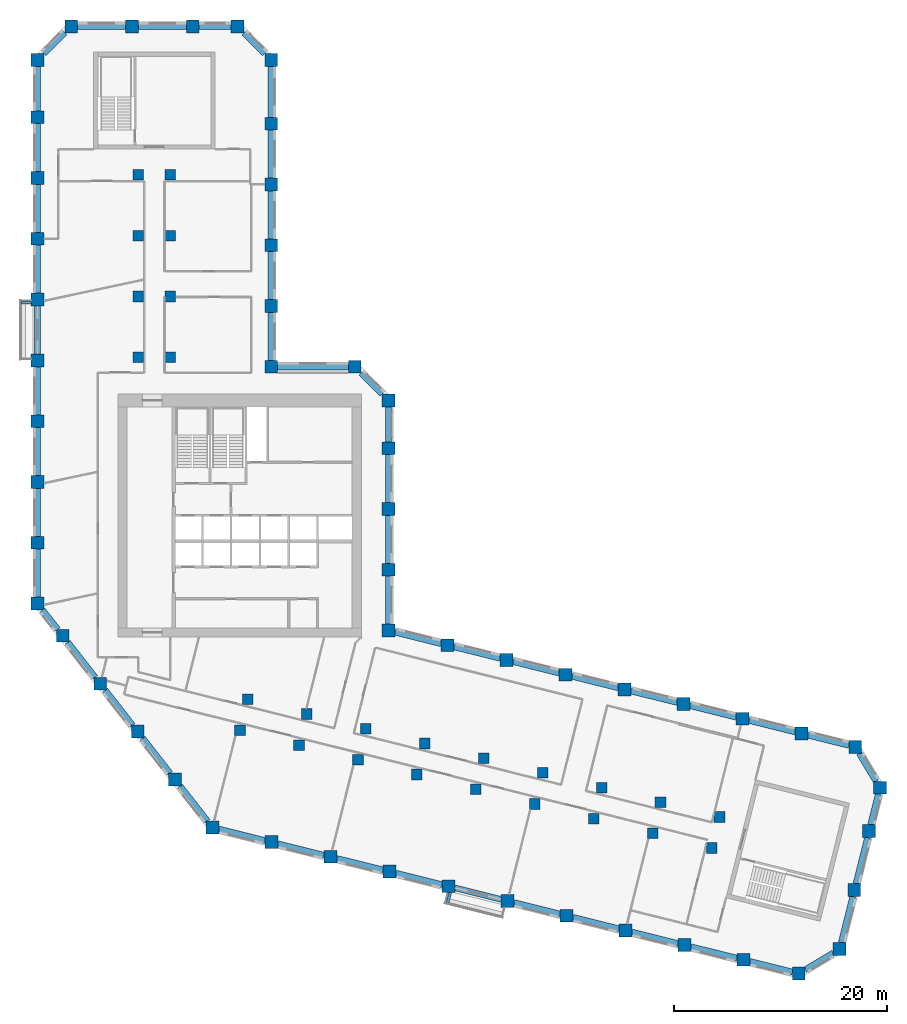
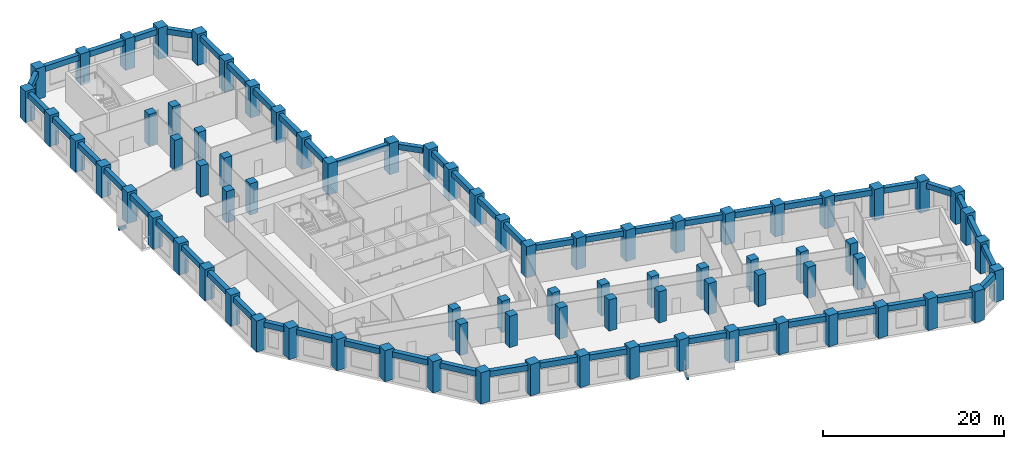
# One storey, part 1 of 10: 79 columns, 55 beams.
"""IFC4 building model written with IfcOpenShell, lengths in metres."""

from ifc_helpers import new_model, si_unit, direction, frame, origin, origin_2d, place, context, subcontext, project, spatial, rectangle, extrude, material, material_profile, profile_set, type_object, element, save


model = new_model("IFC4")

# Units and contexts
model_context = context("Model", 3, precision=1e-05, world=origin(), true_north=direction((0.0, 1.0)))
body_context = subcontext(model_context, "Body", "Model", "MODEL_VIEW")
ifc_project = project(units=[si_unit("LENGTHUNIT", "METRE"), si_unit("AREAUNIT", "SQUARE_METRE"), si_unit("VOLUMEUNIT", "CUBIC_METRE"), si_unit("PLANEANGLEUNIT", "RADIAN"), si_unit("MASSUNIT", "GRAM", prefix="KILO")], contexts=[model_context])

# Site, building, storey
site_placement = place(None, origin())
site = spatial("IfcSite", under=ifc_project, at=site_placement, CompositionType="ELEMENT")
building_placement = place(site_placement, origin())
building = spatial("IfcBuilding", under=site, at=building_placement, Name="Meshkara Civic Tower", CompositionType="ELEMENT")
storey_placement = place(building_placement, frame((0.0, 0.0, 174.0)))
storey = spatial("IfcBuildingStorey", under=building, at=storey_placement, Name="L39", CompositionType="ELEMENT", Elevation=174.0)

# Columns
ifc_material_1 = material(Name="Concrete C70", Category="concrete")
ifc_material_profile_1 = material_profile(ifc_material_1, rectangle(XDim=1.0, YDim=1.0, at=origin_2d()))
ifc_profile_set_1 = profile_set([ifc_material_profile_1], Name="Concrete C70")
column_type_1 = type_object("IfcColumnType", Name="Interior column RC 1000x1000 C70", PredefinedType="COLUMN", material=ifc_profile_set_1)
for number, where, z_axis, x_axis, name in (
    (1, (9.89990234375, 40.35009765625, 0.0), (0.0, 0.0, 1.0), (1.0, 0.0, 0.0), "Column SA1-04 L39"),
    (2, (9.89990234375, 46.050048828125, 0.0), (0.0, 0.0, 1.0), (1.0, 0.0, 0.0), "Column SA1-05 L39"),
    (3, (9.89990234375, 51.75, 0.0), (0.0, 0.0, 1.0), (1.0, 0.0, 0.0), "Column SA1-06 L39"),
    (4, (9.89990234375, 57.449951171875, 0.0), (0.0, 0.0, 1.0), (1.0, 0.0, 0.0), "Column SA1-07 L39"),
    (5, (12.89990234375, 40.35009765625, 0.0), (0.0, 0.0, 1.0), (1.0, 0.0, 0.0), "Column SA2-04 L39"),
    (6, (12.89990234375, 46.050048828125, 0.0), (0.0, 0.0, 1.0), (1.0, 0.0, 0.0), "Column SA2-05 L39"),
    (7, (12.89990234375, 51.75, 0.0), (0.0, 0.0, 1.0), (1.0, 0.0, 0.0), "Column SA2-06 L39"),
    (8, (12.89990234375, 57.449951171875, 0.0), (0.0, 0.0, 1.0), (1.0, 0.0, 0.0), "Column SA2-07 L39"),
    (9, (19.424072265625, 5.360107421875, 0.0), (0.0, 0.0, 1.0), (1.0, 0.0, 0.0), "Column SB1-00 L39"),
    (10, (24.9541015625, 3.98095703125, 0.0), (0.0, 0.0, 1.0), (1.0, 0.0, 0.0), "Column SB1-01 L39"),
    (11, (30.485107421875, 2.60205078125, 0.0), (0.0, 0.0, 1.0), (1.0, 0.0, 0.0), "Column SB1-02 L39"),
    (12, (36.01611328125, 1.222900390625, 0.0), (0.0, 0.0, 1.0), (1.0, 0.0, 0.0), "Column SB1-03 L39"),
    (13, (41.5458984375, -0.156005859375, 0.0), (0.0, 0.0, 1.0), (1.0, 0.0, 0.0), "Column SB1-04 L39"),
    (14, (47.076904296875, -1.534912109375, 0.0), (0.0, 0.0, 1.0), (1.0, 0.0, 0.0), "Column SB1-05 L39"),
    (15, (52.60791015625, -2.9140625, 0.0), (0.0, 0.0, 1.0), (1.0, 0.0, 0.0), "Column SB1-06 L39"),
    (16, (58.138916015625, -4.2919921875, 0.0), (0.0, 0.0, 1.0), (1.0, 0.0, 0.0), "Column SB1-07 L39"),
    (17, (63.6689453125, -5.6708984375, 0.0), (0.0, 0.0, 1.0), (1.0, 0.0, 0.0), "Column SB1-08 L39"),
    (18, (20.14892578125, 8.27099609375, 0.0), (0.0, 0.0, 1.0), (1.0, 0.0, 0.0), "Column SB2-00 L39"),
    (19, (25.679931640625, 6.89208984375, 0.0), (0.0, 0.0, 1.0), (1.0, 0.0, 0.0), "Column SB2-01 L39"),
    (20, (31.2109375, 5.512939453125, 0.0), (0.0, 0.0, 1.0), (1.0, 0.0, 0.0), "Column SB2-02 L39"),
    (21, (36.741943359375, 4.134033203125, 0.0), (0.0, 0.0, 1.0), (1.0, 0.0, 0.0), "Column SB2-03 L39"),
    (22, (42.27197265625, 2.7548828125, 0.0), (0.0, 0.0, 1.0), (1.0, 0.0, 0.0), "Column SB2-04 L39"),
    (23, (47.802978515625, 1.3759765625, 0.0), (0.0, 0.0, 1.0), (1.0, 0.0, 0.0), "Column SB2-05 L39"),
    (24, (53.333984375, -0.0029296875, 0.0), (0.0, 0.0, 1.0), (1.0, 0.0, 0.0), "Column SB2-06 L39"),
    (25, (58.864013671875, -1.382080078125, 0.0), (0.0, 0.0, 1.0), (1.0, 0.0, 0.0), "Column SB2-07 L39"),
    (26, (64.39501953125, -2.760986328125, 0.0), (0.0, 0.0, 1.0), (1.0, 0.0, 0.0), "Column SB2-08 L39"),
):
    element("IfcColumn", number, at=place(storey_placement, frame(where, z_axis=z_axis, x_axis=x_axis)), inside=storey, type_object=column_type_1, Name=name, PredefinedType="COLUMN", context=body_context, shape_type="SweptSolid", body=[
        extrude(rectangle(XDim=1.0, YDim=1.0, at=origin_2d()), origin(), (0.0, 0.0, 1.0), 4.199951171875),
    ])
ifc_material_2 = material(Name="Concrete C70", Category="concrete")
ifc_material_profile_2 = material_profile(ifc_material_2, rectangle(XDim=1.199951171875, YDim=1.199951171875, at=origin_2d()))
ifc_profile_set_2 = profile_set([ifc_material_profile_2], Name="Concrete C70")
column_type_2 = type_object("IfcColumnType", Name="Perimeter column RC 1200x1200 C70", PredefinedType="COLUMN", material=ifc_profile_set_2)
for number, where, z_axis, x_axis, name in (
    (27, (33.35009765625, 14.718994140625, 0.0), (0.0, 0.0, 1.0), (1.0, 0.0, 0.0), "Column HE00 L39"),
    (28, (33.35009765625, 20.4189453125, 0.0), (0.0, 0.0, 1.0), (1.0, 0.0, 0.0), "Column HE01 L39"),
    (29, (33.35009765625, 26.118896484375, 0.0), (0.0, 0.0, 1.0), (1.0, 0.0, 0.0), "Column HE02 L39"),
    (30, (33.35009765625, 31.819091796875, 0.0), (0.0, 0.0, 1.0), (1.0, 0.0, 0.0), "Column HE03 L39"),
    (31, (33.35009765625, 36.2939453125, 0.0), (0.0, 0.0, 1.0), (1.0, 0.0, 0.0), "Column HEE L39"),
    (32, (30.194091796875, 39.449951171875, 0.0), (0.0, 0.0, 1.0), (1.0, 0.0, 0.0), "Column HCeE L39"),
    (33, (22.35009765625, 39.449951171875, 0.0), (0.0, 0.0, 1.0), (1.0, 0.0, 0.0), "Column HN00 L39"),
    (34, (22.35009765625, 45.14990234375, 0.0), (0.0, 0.0, 1.0), (1.0, 0.0, 0.0), "Column AE01 L39"),
    (35, (22.35009765625, 50.85009765625, 0.0), (0.0, 0.0, 1.0), (1.0, 0.0, 0.0), "Column AE02 L39"),
    (36, (22.35009765625, 56.550048828125, 0.0), (0.0, 0.0, 1.0), (1.0, 0.0, 0.0), "Column AE03 L39"),
    (37, (22.35009765625, 62.25, 0.0), (0.0, 0.0, 1.0), (1.0, 0.0, 0.0), "Column AE04 L39"),
    (38, (22.35009765625, 68.214111328125, 0.0), (0.0, 0.0, 1.0), (1.0, 0.0, 0.0), "Column AEEP2 L39"),
    (39, (19.194091796875, 71.3701171875, 0.0), (0.0, 0.0, 1.0), (1.0, 0.0, 0.0), "Column ATiEP2 L39"),
    (40, (3.60595703125, 71.3701171875, 0.0), (0.0, 0.0, 1.0), (1.0, 0.0, 0.0), "Column AT00-P2 L39"),
    (41, (9.305908203125, 71.3701171875, 0.0), (0.0, 0.0, 1.0), (1.0, 0.0, 0.0), "Column AT01-P2 L39"),
    (42, (15.006103515625, 71.3701171875, 0.0), (0.0, 0.0, 1.0), (1.0, 0.0, 0.0), "Column AT02-P2 L39"),
    (43, (0.449951171875, 68.214111328125, 0.0), (0.0, 0.0, 1.0), (1.0, 0.0, 0.0), "Column ATo00-P2 L39"),
    (44, (0.449951171875, 17.2548828125, 0.0), (0.0, 0.0, 1.0), (1.0, 0.0, 0.0), "Column AW00 L39"),
    (45, (0.449951171875, 22.955078125, 0.0), (0.0, 0.0, 1.0), (1.0, 0.0, 0.0), "Column AW01 L39"),
    (46, (0.449951171875, 28.655029296875, 0.0), (0.0, 0.0, 1.0), (1.0, 0.0, 0.0), "Column AW02 L39"),
    (47, (0.449951171875, 34.35498046875, 0.0), (0.0, 0.0, 1.0), (1.0, 0.0, 0.0), "Column AW03 L39"),
    (48, (0.449951171875, 40.054931640625, 0.0), (0.0, 0.0, 1.0), (1.0, 0.0, 0.0), "Column AW04 L39"),
    (49, (0.449951171875, 45.7548828125, 0.0), (0.0, 0.0, 1.0), (1.0, 0.0, 0.0), "Column AW05 L39"),
    (50, (0.449951171875, 51.455078125, 0.0), (0.0, 0.0, 1.0), (1.0, 0.0, 0.0), "Column AW06 L39"),
    (51, (0.449951171875, 57.155029296875, 0.0), (0.0, 0.0, 1.0), (1.0, 0.0, 0.0), "Column AW07 L39"),
    (52, (0.449951171875, 62.85498046875, 0.0), (0.0, 0.0, 1.0), (1.0, 0.0, 0.0), "Column AW08 L39"),
    (53, (16.85107421875, -3.738037109375, 0.0), (0.0, 0.0, 1.0), (1.0, 0.0, 0.0), "Column BOW00 L39"),
    (54, (13.342041015625, 0.75390625, 0.0), (0.0, 0.0, 1.0), (1.0, 0.0, 0.0), "Column BOW01 L39"),
    (55, (9.8330078125, 5.2451171875, 0.0), (0.0, 0.0, 1.0), (1.0, 0.0, 0.0), "Column BOW02 L39"),
    (56, (6.322998046875, 9.737060546875, 0.0), (0.0, 0.0, 1.0), (1.0, 0.0, 0.0), "Column BOW03 L39"),
    (57, (2.81396484375, 14.22900390625, 0.0), (0.0, 0.0, 1.0), (1.0, 0.0, 0.0), "Column BOW04 L39"),
    (58, (22.382080078125, -5.116943359375, 0.0), (0.0, 0.0, 1.0), (1.0, 0.0, 0.0), "Column BS01 L39"),
    (59, (27.912109375, -6.49609375, 0.0), (0.0, 0.0, 1.0), (1.0, 0.0, 0.0), "Column BS02 L39"),
    (60, (33.443115234375, -7.875, 0.0), (0.0, 0.0, 1.0), (1.0, 0.0, 0.0), "Column BS03 L39"),
    (61, (38.97412109375, -9.2529296875, 0.0), (0.0, 0.0, 1.0), (1.0, 0.0, 0.0), "Column BS04-P1 L39"),
    (62, (44.5048828125, -10.632080078125, 0.0), (0.0, 0.0, 1.0), (1.0, 0.0, 0.0), "Column BS05 L39"),
    (63, (50.034912109375, -12.010986328125, 0.0), (0.0, 0.0, 1.0), (1.0, 0.0, 0.0), "Column BS06 L39"),
    (64, (55.56591796875, -13.389892578125, 0.0), (0.0, 0.0, 1.0), (1.0, 0.0, 0.0), "Column BS07 L39"),
    (65, (61.096923828125, -14.76904296875, 0.0), (0.0, 0.0, 1.0), (1.0, 0.0, 0.0), "Column BS08 L39"),
    (66, (66.626953125, -16.14794921875, 0.0), (0.0, 0.0, 1.0), (1.0, 0.0, 0.0), "Column BS09 L39"),
    (67, (71.826904296875, -17.444091796875, 0.0), (0.0, 0.0, 1.0), (1.0, 0.0, 0.0), "Column BSEP2 L39"),
    (68, (75.653076171875, -15.14501953125, 0.0), (0.0, 0.0, 1.0), (1.0, 0.0, 0.0), "Column BToEP2 L39"),
    (69, (77.031982421875, -9.614013671875, 0.0), (0.0, 0.0, 1.0), (1.0, 0.0, 0.0), "Column BT01-P2 L39"),
    (70, (78.410888671875, -4.083984375, 0.0), (0.0, 0.0, 1.0), (1.0, 0.0, 0.0), "Column BT02-P2 L39"),
    (71, (79.424072265625, -0.02099609375, 0.0), (0.0, 0.0, 1.0), (1.0, 0.0, 0.0), "Column BTEP2 L39"),
    (72, (77.125, 3.803955078125, 0.0), (0.0, 0.0, 1.0), (1.0, 0.0, 0.0), "Column BTi00-P2 L39"),
    (73, (38.881103515625, 13.340087890625, 0.0), (0.0, 0.0, 1.0), (1.0, 0.0, 0.0), "Column BN01 L39"),
    (74, (44.410888671875, 11.9609375, 0.0), (0.0, 0.0, 1.0), (1.0, 0.0, 0.0), "Column BN02 L39"),
    (75, (49.94189453125, 10.58203125, 0.0), (0.0, 0.0, 1.0), (1.0, 0.0, 0.0), "Column BN03 L39"),
    (76, (55.472900390625, 9.202880859375, 0.0), (0.0, 0.0, 1.0), (1.0, 0.0, 0.0), "Column BN04 L39"),
    (77, (61.0029296875, 7.823974609375, 0.0), (0.0, 0.0, 1.0), (1.0, 0.0, 0.0), "Column BN05 L39"),
    (78, (66.533935546875, 6.445068359375, 0.0), (0.0, 0.0, 1.0), (1.0, 0.0, 0.0), "Column BN06 L39"),
    (79, (72.06494140625, 5.06591796875, 0.0), (0.0, 0.0, 1.0), (1.0, 0.0, 0.0), "Column BN07 L39"),
):
    element("IfcColumn", number, at=place(storey_placement, frame(where, z_axis=z_axis, x_axis=x_axis)), inside=storey, type_object=column_type_2, Name=name, PredefinedType="COLUMN", context=body_context, shape_type="SweptSolid", body=[
        extrude(rectangle(XDim=1.199951171875, YDim=1.199951171875, at=origin_2d()), origin(), (0.0, 0.0, 1.0), 4.199951171875),
    ])

# Beams
ifc_material_3 = material(Name="Concrete C50", Category="concrete")
ifc_material_profile_3 = material_profile(ifc_material_3, rectangle(XDim=0.25, YDim=0.39990234375, at=origin_2d()))
ifc_profile_set_3 = profile_set([ifc_material_profile_3], Name="Concrete C50")
beam_type_1 = type_object("IfcBeamType", Name="Balcony bracket beam RC 250x400 C50", PredefinedType="BEAM", material=ifc_profile_set_3)
beam_1_placement = place(storey_placement, frame((-0.14501953125, 45.455078125, -0.5), z_axis=(-1.0, 0.0, 0.0), x_axis=(0.0, -1.0, 0.0)))
element("IfcBeam", 80, at=beam_1_placement, inside=storey, type_object=beam_type_1, Name="Balcony bracket beam", PredefinedType="BEAM", context=body_context, shape_type="SweptSolid", body=[
    extrude(rectangle(XDim=0.25, YDim=0.39990234375, at=origin_2d()), origin(), (0.0, 0.0, 1.0), 0.955078125),
])
beam_2_placement = place(storey_placement, frame((39.135009765625, -9.847900390625, -0.5), z_axis=(-0.242138377463, -0.970241725633, 0.0), x_axis=(0.970241725633, -0.242138377463, 0.0)))
element("IfcBeam", 81, at=beam_2_placement, inside=storey, type_object=beam_type_1, Name="Balcony bracket beam", PredefinedType="BEAM", context=body_context, shape_type="SweptSolid", body=[
    extrude(rectangle(XDim=0.25, YDim=0.39990234375, at=origin_2d()), origin(), (0.0, 0.0, 1.0), 1.01220703125),
])
ifc_material_4 = material(Name="Concrete C60", Category="concrete")
ifc_material_profile_4 = material_profile(ifc_material_4, rectangle(XDim=0.550048828125, YDim=0.75, at=origin_2d()))
ifc_profile_set_4 = profile_set([ifc_material_profile_4], Name="Concrete C60")
beam_type_2 = type_object("IfcBeamType", Name="Spandrel beam RC 550x750 C60", PredefinedType="BEAM", material=ifc_profile_set_4)
for number, where, z_axis, x_axis, name in (
    (82, (71.469970703125, 5.21435546875, 3.52490234375), (-0.970296390995, 0.241919229543, 0.0), (-0.241919229543, -0.970296390995, 0.0), "Spandrel beam BN06-BN07"),
    (83, (65.93896484375, 6.593505859375, 3.52490234375), (-0.970309199754, 0.241867850018, 0.0), (-0.241867850018, -0.970309199754, 0.0), "Spandrel beam BN05-BN06"),
):
    element("IfcBeam", number, at=place(storey_placement, frame(where, z_axis=z_axis, x_axis=x_axis)), inside=storey, type_object=beam_type_2, Name=name, PredefinedType="BEAM", context=body_context, shape_type="SweptSolid", body=[
        extrude(rectangle(XDim=0.550048828125, YDim=0.75, at=origin_2d()), origin(), (0.0, 0.0, 1.0), 4.4736328125),
    ])
beam_3_placement = place(storey_placement, frame((60.407958984375, 7.972412109375, 3.52490234375), z_axis=(-0.970283611566, 0.241970479865, 0.0), x_axis=(-0.241970479865, -0.970283611566, 0.0)))
element("IfcBeam", 84, at=beam_3_placement, inside=storey, type_object=beam_type_2, Name="Spandrel beam BN04-BN05", PredefinedType="BEAM", context=body_context, shape_type="SweptSolid", body=[
    extrude(rectangle(XDim=0.550048828125, YDim=0.75, at=origin_2d()), origin(), (0.0, 0.0, 1.0), 4.47265625),
])
for number, where, z_axis, x_axis, name in (
    (85, (54.8779296875, 9.351318359375, 3.52490234375), (-0.970296390995, 0.241919229543, 0.0), (-0.241919229543, -0.970296390995, 0.0), "Spandrel beam BN03-BN04"),
    (86, (49.346923828125, 10.73046875, 3.52490234375), (-0.970309199754, 0.241867850018, 0.0), (-0.241867850018, -0.970309199754, 0.0), "Spandrel beam BN02-BN03"),
):
    element("IfcBeam", number, at=place(storey_placement, frame(where, z_axis=z_axis, x_axis=x_axis)), inside=storey, type_object=beam_type_2, Name=name, PredefinedType="BEAM", context=body_context, shape_type="SweptSolid", body=[
        extrude(rectangle(XDim=0.550048828125, YDim=0.75, at=origin_2d()), origin(), (0.0, 0.0, 1.0), 4.4736328125),
    ])
beam_4_placement = place(storey_placement, frame((43.81591796875, 12.109375, 3.52490234375), z_axis=(-0.970283611566, 0.241970479865, 0.0), x_axis=(-0.241970479865, -0.970283611566, 0.0)))
element("IfcBeam", 87, at=beam_4_placement, inside=storey, type_object=beam_type_2, Name="Spandrel beam BN01-BN02", PredefinedType="BEAM", context=body_context, shape_type="SweptSolid", body=[
    extrude(rectangle(XDim=0.550048828125, YDim=0.75, at=origin_2d()), origin(), (0.0, 0.0, 1.0), 4.47265625),
])
beam_5_placement = place(storey_placement, frame((38.285888671875, 13.48828125, 3.52490234375), z_axis=(-0.970296390995, 0.241919229543, 0.0), x_axis=(-0.241919229543, -0.970296390995, 0.0)))
element("IfcBeam", 88, at=beam_5_placement, inside=storey, type_object=beam_type_2, Name="Spandrel beam BN01-HE00", PredefinedType="BEAM", context=body_context, shape_type="SweptSolid", body=[
    extrude(rectangle(XDim=0.550048828125, YDim=0.75, at=origin_2d()), origin(), (0.0, 0.0, 1.0), 4.4736328125),
])
for number, where, z_axis, x_axis, name in (
    (89, (33.35009765625, 15.31396484375, 3.52490234375), (0.0, 1.0, 0.0), (-1.0, 0.0, 0.0), "Spandrel beam HE00-HE01"),
    (90, (33.35009765625, 21.013916015625, 3.52490234375), (0.0, 1.0, 0.0), (-1.0, 0.0, 0.0), "Spandrel beam HE01-HE02"),
    (91, (33.35009765625, 26.714111328125, 3.52490234375), (0.0, 1.0, 0.0), (-1.0, 0.0, 0.0), "Spandrel beam HE02-HE03"),
):
    element("IfcBeam", number, at=place(storey_placement, frame(where, z_axis=z_axis, x_axis=x_axis)), inside=storey, type_object=beam_type_2, Name=name, PredefinedType="BEAM", context=body_context, shape_type="SweptSolid", body=[
        extrude(rectangle(XDim=0.550048828125, YDim=0.75, at=origin_2d()), origin(), (0.0, 0.0, 1.0), 4.510009765625),
    ])
beam_6_placement = place(storey_placement, frame((33.35009765625, 32.4140625, 3.52490234375), z_axis=(0.0, 1.0, 0.0), x_axis=(-1.0, 0.0, 0.0)))
element("IfcBeam", 92, at=beam_6_placement, inside=storey, type_object=beam_type_2, Name="Spandrel beam HE03-HEE", PredefinedType="BEAM", context=body_context, shape_type="SweptSolid", body=[
    extrude(rectangle(XDim=0.550048828125, YDim=0.75, at=origin_2d()), origin(), (0.0, 0.0, 1.0), 3.284912109375),
])
beam_7_placement = place(storey_placement, frame((32.75341796875, 36.890380859375, 3.52490234375), z_axis=(-0.707062808252, 0.707150751387, 0.0), x_axis=(-0.707150751387, -0.707062808252, 0.0)))
element("IfcBeam", 93, at=beam_7_placement, inside=storey, type_object=beam_type_2, Name="Spandrel beam HCeE-HEE", PredefinedType="BEAM", context=body_context, shape_type="SweptSolid", body=[
    extrude(rectangle(XDim=0.550048828125, YDim=0.75, at=origin_2d()), origin(), (0.0, 0.0, 1.0), 2.776123046875),
])
beam_8_placement = place(storey_placement, frame((29.59912109375, 39.449951171875, 3.52490234375), z_axis=(-1.0, 0.0, 0.0), x_axis=(0.0, -1.0, 0.0)))
element("IfcBeam", 94, at=beam_8_placement, inside=storey, type_object=beam_type_2, Name="Spandrel beam HCeE-HN00", PredefinedType="BEAM", context=body_context, shape_type="SweptSolid", body=[
    extrude(rectangle(XDim=0.550048828125, YDim=0.75, at=origin_2d()), origin(), (0.0, 0.0, 1.0), 6.654052734375),
])
beam_9_placement = place(storey_placement, frame((22.35009765625, 40.044921875, 3.52490234375), z_axis=(0.0, 1.0, 0.0), x_axis=(-1.0, 0.0, 0.0)))
element("IfcBeam", 95, at=beam_9_placement, inside=storey, type_object=beam_type_2, Name="Spandrel beam AE01-HN00", PredefinedType="BEAM", context=body_context, shape_type="SweptSolid", body=[
    extrude(rectangle(XDim=0.550048828125, YDim=0.75, at=origin_2d()), origin(), (0.0, 0.0, 1.0), 4.510009765625),
])
beam_10_placement = place(storey_placement, frame((22.35009765625, 45.7451171875, 3.52490234375), z_axis=(0.0, 1.0, 0.0), x_axis=(-1.0, 0.0, 0.0)))
element("IfcBeam", 96, at=beam_10_placement, inside=storey, type_object=beam_type_2, Name="Spandrel beam AE01-AE02", PredefinedType="BEAM", context=body_context, shape_type="SweptSolid", body=[
    extrude(rectangle(XDim=0.550048828125, YDim=0.75, at=origin_2d()), origin(), (0.0, 0.0, 1.0), 4.509765625),
])
for number, where, z_axis, x_axis, name in (
    (97, (22.35009765625, 51.445068359375, 3.52490234375), (0.0, 1.0, 0.0), (-1.0, 0.0, 0.0), "Spandrel beam AE02-AE03"),
    (98, (22.35009765625, 57.14501953125, 3.52490234375), (0.0, 1.0, 0.0), (-1.0, 0.0, 0.0), "Spandrel beam AE03-AE04"),
):
    element("IfcBeam", number, at=place(storey_placement, frame(where, z_axis=z_axis, x_axis=x_axis)), inside=storey, type_object=beam_type_2, Name=name, PredefinedType="BEAM", context=body_context, shape_type="SweptSolid", body=[
        extrude(rectangle(XDim=0.550048828125, YDim=0.75, at=origin_2d()), origin(), (0.0, 0.0, 1.0), 4.510009765625),
    ])
beam_11_placement = place(storey_placement, frame((22.35009765625, 62.844970703125, 3.52490234375), z_axis=(0.0, 1.0, 0.0), x_axis=(-1.0, 0.0, 0.0)))
element("IfcBeam", 99, at=beam_11_placement, inside=storey, type_object=beam_type_2, Name="Spandrel beam AE04-AEEP2", PredefinedType="BEAM", context=body_context, shape_type="SweptSolid", body=[
    extrude(rectangle(XDim=0.550048828125, YDim=0.75, at=origin_2d()), origin(), (0.0, 0.0, 1.0), 4.77392578125),
])
beam_12_placement = place(storey_placement, frame((21.75341796875, 68.810546875, 3.52490234375), z_axis=(-0.707106781187, 0.707106781187, 0.0), x_axis=(-0.707106781187, -0.707106781187, 0.0)))
element("IfcBeam", 100, at=beam_12_placement, inside=storey, type_object=beam_type_2, Name="Spandrel beam AEEP2-ATiEP2", PredefinedType="BEAM", context=body_context, shape_type="SweptSolid", body=[
    extrude(rectangle(XDim=0.550048828125, YDim=0.75, at=origin_2d()), origin(), (0.0, 0.0, 1.0), 2.77587890625),
])
beam_13_placement = place(storey_placement, frame((18.59912109375, 71.3701171875, 3.52490234375), z_axis=(-1.0, 0.0, 0.0), x_axis=(0.0, -1.0, 0.0)))
element("IfcBeam", 101, at=beam_13_placement, inside=storey, type_object=beam_type_2, Name="Spandrel beam AT02-P2-ATiEP2", PredefinedType="BEAM", context=body_context, shape_type="SweptSolid", body=[
    extrude(rectangle(XDim=0.550048828125, YDim=0.75, at=origin_2d()), origin(), (0.0, 0.0, 1.0), 2.998046875),
])
for number, where, z_axis, x_axis, name in (
    (102, (14.410888671875, 71.3701171875, 3.52490234375), (-1.0, 0.0, 0.0), (0.0, -1.0, 0.0), "Spandrel beam AT01-P2-AT02-P2"),
    (103, (8.7109375, 71.3701171875, 3.52490234375), (-1.0, 0.0, 0.0), (0.0, -1.0, 0.0), "Spandrel beam AT00-P2-AT01-P2"),
):
    element("IfcBeam", number, at=place(storey_placement, frame(where, z_axis=z_axis, x_axis=x_axis)), inside=storey, type_object=beam_type_2, Name=name, PredefinedType="BEAM", context=body_context, shape_type="SweptSolid", body=[
        extrude(rectangle(XDim=0.550048828125, YDim=0.75, at=origin_2d()), origin(), (0.0, 0.0, 1.0), 4.510009765625),
    ])
beam_14_placement = place(storey_placement, frame((3.009521484375, 70.7734375, 3.52490234375), z_axis=(-0.707150751387, -0.707062808252, 0.0), x_axis=(0.707062808252, -0.707150751387, 0.0)))
element("IfcBeam", 104, at=beam_14_placement, inside=storey, type_object=beam_type_2, Name="Spandrel beam AT00-P2-ATo00-P2", PredefinedType="BEAM", context=body_context, shape_type="SweptSolid", body=[
    extrude(rectangle(XDim=0.550048828125, YDim=0.75, at=origin_2d()), origin(), (0.0, 0.0, 1.0), 2.776123046875),
])
beam_15_placement = place(storey_placement, frame((0.449951171875, 67.618896484375, 3.52490234375), z_axis=(0.0, -1.0, 0.0), x_axis=(1.0, 0.0, 0.0)))
element("IfcBeam", 105, at=beam_15_placement, inside=storey, type_object=beam_type_2, Name="Spandrel beam ATo00-P2-AW08", PredefinedType="BEAM", context=body_context, shape_type="SweptSolid", body=[
    extrude(rectangle(XDim=0.550048828125, YDim=0.75, at=origin_2d()), origin(), (0.0, 0.0, 1.0), 4.1689453125),
])
for number, where, z_axis, x_axis, name in (
    (106, (0.449951171875, 62.260009765625, 3.52490234375), (0.0, -1.0, 0.0), (1.0, 0.0, 0.0), "Spandrel beam AW07-AW08"),
    (107, (0.449951171875, 56.56005859375, 3.52490234375), (0.0, -1.0, 0.0), (1.0, 0.0, 0.0), "Spandrel beam AW06-AW07"),
    (108, (0.449951171875, 50.860107421875, 3.52490234375), (0.0, -1.0, 0.0), (1.0, 0.0, 0.0), "Spandrel beam AW05-AW06"),
    (109, (0.449951171875, 45.159912109375, 3.52490234375), (0.0, -1.0, 0.0), (1.0, 0.0, 0.0), "Spandrel beam AW04-AW05"),
    (110, (0.449951171875, 39.4599609375, 3.52490234375), (0.0, -1.0, 0.0), (1.0, 0.0, 0.0), "Spandrel beam AW03-AW04"),
    (111, (0.449951171875, 33.760009765625, 3.52490234375), (0.0, -1.0, 0.0), (1.0, 0.0, 0.0), "Spandrel beam AW02-AW03"),
    (112, (0.449951171875, 28.06005859375, 3.52490234375), (0.0, -1.0, 0.0), (1.0, 0.0, 0.0), "Spandrel beam AW01-AW02"),
    (113, (0.449951171875, 22.360107421875, 3.52490234375), (0.0, -1.0, 0.0), (1.0, 0.0, 0.0), "Spandrel beam AW00-AW01"),
):
    element("IfcBeam", number, at=place(storey_placement, frame(where, z_axis=z_axis, x_axis=x_axis)), inside=storey, type_object=beam_type_2, Name=name, PredefinedType="BEAM", context=body_context, shape_type="SweptSolid", body=[
        extrude(rectangle(XDim=0.550048828125, YDim=0.75, at=origin_2d()), origin(), (0.0, 0.0, 1.0), 4.510009765625),
    ])
beam_16_placement = place(storey_placement, frame((0.915771484375, 16.658935546875, 3.52490234375), z_axis=(0.615646077935, -0.788022783124, 0.0), x_axis=(0.788022783124, 0.615646077935, 0.0)))
element("IfcBeam", 114, at=beam_16_placement, inside=storey, type_object=beam_type_2, Name="Spandrel beam AW00-BOW04", PredefinedType="BEAM", context=body_context, shape_type="SweptSolid", body=[
    extrude(rectangle(XDim=0.550048828125, YDim=0.75, at=origin_2d()), origin(), (0.0, 0.0, 1.0), 2.326904296875),
])
beam_17_placement = place(storey_placement, frame((3.279541015625, 13.6328125, 3.52490234375), z_axis=(0.615630464754, -0.788034980738, 0.0), x_axis=(0.788034980738, 0.615630464754, 0.0)))
element("IfcBeam", 115, at=beam_17_placement, inside=storey, type_object=beam_type_2, Name="Spandrel beam BOW03-BOW04", PredefinedType="BEAM", context=body_context, shape_type="SweptSolid", body=[
    extrude(rectangle(XDim=0.550048828125, YDim=0.75, at=origin_2d()), origin(), (0.0, 0.0, 1.0), 4.1875),
])
beam_18_placement = place(storey_placement, frame((6.788818359375, 9.140869140625, 3.52490234375), z_axis=(0.61570287025, -0.787978410596, 0.0), x_axis=(0.787978410596, 0.61570287025, 0.0)))
element("IfcBeam", 116, at=beam_18_placement, inside=storey, type_object=beam_type_2, Name="Spandrel beam BOW02-BOW03", PredefinedType="BEAM", context=body_context, shape_type="SweptSolid", body=[
    extrude(rectangle(XDim=0.550048828125, YDim=0.75, at=origin_2d()), origin(), (0.0, 0.0, 1.0), 4.187744140625),
])
beam_19_placement = place(storey_placement, frame((10.298583984375, 4.64892578125, 3.52490234375), z_axis=(0.615707413829, -0.787974860358, 0.0), x_axis=(0.787974860358, 0.615707413829, 0.0)))
element("IfcBeam", 117, at=beam_19_placement, inside=storey, type_object=beam_type_2, Name="Spandrel beam BOW01-BOW02", PredefinedType="BEAM", context=body_context, shape_type="SweptSolid", body=[
    extrude(rectangle(XDim=0.550048828125, YDim=0.75, at=origin_2d()), origin(), (0.0, 0.0, 1.0), 4.1865234375),
])
beam_20_placement = place(storey_placement, frame((13.8076171875, 0.157958984375, 3.52490234375), z_axis=(0.615630464754, -0.788034980738, 0.0), x_axis=(0.788034980738, 0.615630464754, 0.0)))
element("IfcBeam", 118, at=beam_20_placement, inside=storey, type_object=beam_type_2, Name="Spandrel beam BOW00-BOW01", PredefinedType="BEAM", context=body_context, shape_type="SweptSolid", body=[
    extrude(rectangle(XDim=0.550048828125, YDim=0.75, at=origin_2d()), origin(), (0.0, 0.0, 1.0), 4.1875),
])
beam_21_placement = place(storey_placement, frame((17.446044921875, -3.886474609375, 3.52490234375), z_axis=(0.970309199754, -0.241867850018, 0.0), x_axis=(0.241867850018, 0.970309199754, 0.0)))
element("IfcBeam", 119, at=beam_21_placement, inside=storey, type_object=beam_type_2, Name="Spandrel beam BOW00-BS01", PredefinedType="BEAM", context=body_context, shape_type="SweptSolid", body=[
    extrude(rectangle(XDim=0.550048828125, YDim=0.75, at=origin_2d()), origin(), (0.0, 0.0, 1.0), 4.4736328125),
])
beam_22_placement = place(storey_placement, frame((22.97705078125, -5.265380859375, 3.52490234375), z_axis=(0.970283611566, -0.241970479865, 0.0), x_axis=(0.241970479865, 0.970283611566, 0.0)))
element("IfcBeam", 120, at=beam_22_placement, inside=storey, type_object=beam_type_2, Name="Spandrel beam BS01-BS02", PredefinedType="BEAM", context=body_context, shape_type="SweptSolid", body=[
    extrude(rectangle(XDim=0.550048828125, YDim=0.75, at=origin_2d()), origin(), (0.0, 0.0, 1.0), 4.47265625),
])
for number, where, z_axis, x_axis, name in (
    (121, (28.507080078125, -6.644287109375, 3.52490234375), (0.970296390995, -0.241919229543, 0.0), (0.241919229543, 0.970296390995, 0.0), "Spandrel beam BS02-BS03"),
    (122, (34.0380859375, -8.023193359375, 3.52490234375), (0.970334810126, -0.241765084863, 0.0), (0.241765084863, 0.970334810126, 0.0), "Spandrel beam BS03-BS04-P1"),
    (123, (39.569091796875, -9.4013671875, 3.52490234375), (0.970296390995, -0.241919229543, 0.0), (0.241919229543, 0.970296390995, 0.0), "Spandrel beam BS04-P1-BS05"),
):
    element("IfcBeam", number, at=place(storey_placement, frame(where, z_axis=z_axis, x_axis=x_axis)), inside=storey, type_object=beam_type_2, Name=name, PredefinedType="BEAM", context=body_context, shape_type="SweptSolid", body=[
        extrude(rectangle(XDim=0.550048828125, YDim=0.75, at=origin_2d()), origin(), (0.0, 0.0, 1.0), 4.4736328125),
    ])
beam_23_placement = place(storey_placement, frame((45.10009765625, -10.780517578125, 3.52490234375), z_axis=(0.970296425585, -0.241919090807, 0.0), x_axis=(0.241919090807, 0.970296425585, 0.0)))
element("IfcBeam", 124, at=beam_23_placement, inside=storey, type_object=beam_type_2, Name="Spandrel beam BS05-BS06", PredefinedType="BEAM", context=body_context, shape_type="SweptSolid", body=[
    extrude(rectangle(XDim=0.550048828125, YDim=0.75, at=origin_2d()), origin(), (0.0, 0.0, 1.0), 4.47265625),
])
for number, where, z_axis, x_axis, name in (
    (125, (50.630126953125, -12.159423828125, 3.52490234375), (0.970296390995, -0.241919229543, 0.0), (0.241919229543, 0.970296390995, 0.0), "Spandrel beam BS06-BS07"),
    (126, (56.1611328125, -13.538330078125, 3.52490234375), (0.970296390995, -0.241919229543, 0.0), (0.241919229543, 0.970296390995, 0.0), "Spandrel beam BS07-BS08"),
):
    element("IfcBeam", number, at=place(storey_placement, frame(where, z_axis=z_axis, x_axis=x_axis)), inside=storey, type_object=beam_type_2, Name=name, PredefinedType="BEAM", context=body_context, shape_type="SweptSolid", body=[
        extrude(rectangle(XDim=0.550048828125, YDim=0.75, at=origin_2d()), origin(), (0.0, 0.0, 1.0), 4.4736328125),
    ])
beam_24_placement = place(storey_placement, frame((61.692138671875, -14.91748046875, 3.52490234375), z_axis=(0.970296425585, -0.241919090807, 0.0), x_axis=(0.241919090807, 0.970296425585, 0.0)))
element("IfcBeam", 127, at=beam_24_placement, inside=storey, type_object=beam_type_2, Name="Spandrel beam BS08-BS09", PredefinedType="BEAM", context=body_context, shape_type="SweptSolid", body=[
    extrude(rectangle(XDim=0.550048828125, YDim=0.75, at=origin_2d()), origin(), (0.0, 0.0, 1.0), 4.47265625),
])
beam_25_placement = place(storey_placement, frame((67.22216796875, -16.29638671875, 3.52490234375), z_axis=(0.970322944839, -0.241812701731, 0.0), x_axis=(0.241812701731, 0.970322944839, 0.0)))
element("IfcBeam", 128, at=beam_25_placement, inside=storey, type_object=beam_type_2, Name="Spandrel beam BS09-BSEP2", PredefinedType="BEAM", context=body_context, shape_type="SweptSolid", body=[
    extrude(rectangle(XDim=0.550048828125, YDim=0.75, at=origin_2d()), origin(), (0.0, 0.0, 1.0), 4.13232421875),
])
beam_26_placement = place(storey_placement, frame((72.422607421875, -17.0859375, 3.52490234375), z_axis=(0.85718440509, 0.515009607358, 0.0), x_axis=(-0.515009607358, 0.85718440509, 0.0)))
element("IfcBeam", 129, at=beam_26_placement, inside=storey, type_object=beam_type_2, Name="Spandrel beam BSEP2-BToEP2", PredefinedType="BEAM", context=body_context, shape_type="SweptSolid", body=[
    extrude(rectangle(XDim=0.550048828125, YDim=0.75, at=origin_2d()), origin(), (0.0, 0.0, 1.0), 3.07373046875),
])
beam_27_placement = place(storey_placement, frame((75.801513671875, -14.5498046875, 3.52490234375), z_axis=(0.241867850018, 0.970309199754, 0.0), x_axis=(-0.970309199754, 0.241867850018, 0.0)))
element("IfcBeam", 130, at=beam_27_placement, inside=storey, type_object=beam_type_2, Name="Spandrel beam BT01-P2-BToEP2", PredefinedType="BEAM", context=body_context, shape_type="SweptSolid", body=[
    extrude(rectangle(XDim=0.550048828125, YDim=0.75, at=origin_2d()), origin(), (0.0, 0.0, 1.0), 4.4736328125),
])
beam_28_placement = place(storey_placement, frame((77.180419921875, -9.018798828125, 3.52490234375), z_axis=(0.241983295733, 0.97028041544, 0.0), x_axis=(-0.97028041544, 0.241983295733, 0.0)))
element("IfcBeam", 131, at=beam_28_placement, inside=storey, type_object=beam_type_2, Name="Spandrel beam BT01-P2-BT02-P2", PredefinedType="BEAM", context=body_context, shape_type="SweptSolid", body=[
    extrude(rectangle(XDim=0.550048828125, YDim=0.75, at=origin_2d()), origin(), (0.0, 0.0, 1.0), 4.472412109375),
])
beam_29_placement = place(storey_placement, frame((78.559326171875, -3.489013671875, 3.52490234375), z_axis=(0.241934114249, 0.970292679743, 0.0), x_axis=(-0.970292679743, 0.241934114249, 0.0)))
element("IfcBeam", 132, at=beam_29_placement, inside=storey, type_object=beam_type_2, Name="Spandrel beam BT02-P2-BTEP2", PredefinedType="BEAM", context=body_context, shape_type="SweptSolid", body=[
    extrude(rectangle(XDim=0.550048828125, YDim=0.75, at=origin_2d()), origin(), (0.0, 0.0, 1.0), 2.960693359375),
])
beam_30_placement = place(storey_placement, frame((79.06591796875, 0.57470703125, 3.52490234375), z_axis=(-0.515126606613, 0.857114099265, 0.0), x_axis=(-0.857114099265, -0.515126606613, 0.0)))
element("IfcBeam", 133, at=beam_30_placement, inside=storey, type_object=beam_type_2, Name="Spandrel beam BTEP2-BTi00-P2", PredefinedType="BEAM", context=body_context, shape_type="SweptSolid", body=[
    extrude(rectangle(XDim=0.550048828125, YDim=0.75, at=origin_2d()), origin(), (0.0, 0.0, 1.0), 3.072509765625),
])
beam_31_placement = place(storey_placement, frame((76.52978515625, 3.952392578125, 3.52490234375), z_axis=(-0.970279182293, 0.241988240227, 0.0), x_axis=(-0.241988240227, -0.970279182293, 0.0)))
element("IfcBeam", 134, at=beam_31_placement, inside=storey, type_object=beam_type_2, Name="Spandrel beam BN07-BTi00-P2", PredefinedType="BEAM", context=body_context, shape_type="SweptSolid", body=[
    extrude(rectangle(XDim=0.550048828125, YDim=0.75, at=origin_2d()), origin(), (0.0, 0.0, 1.0), 3.98828125),
])

save(model, "model.ifc")
